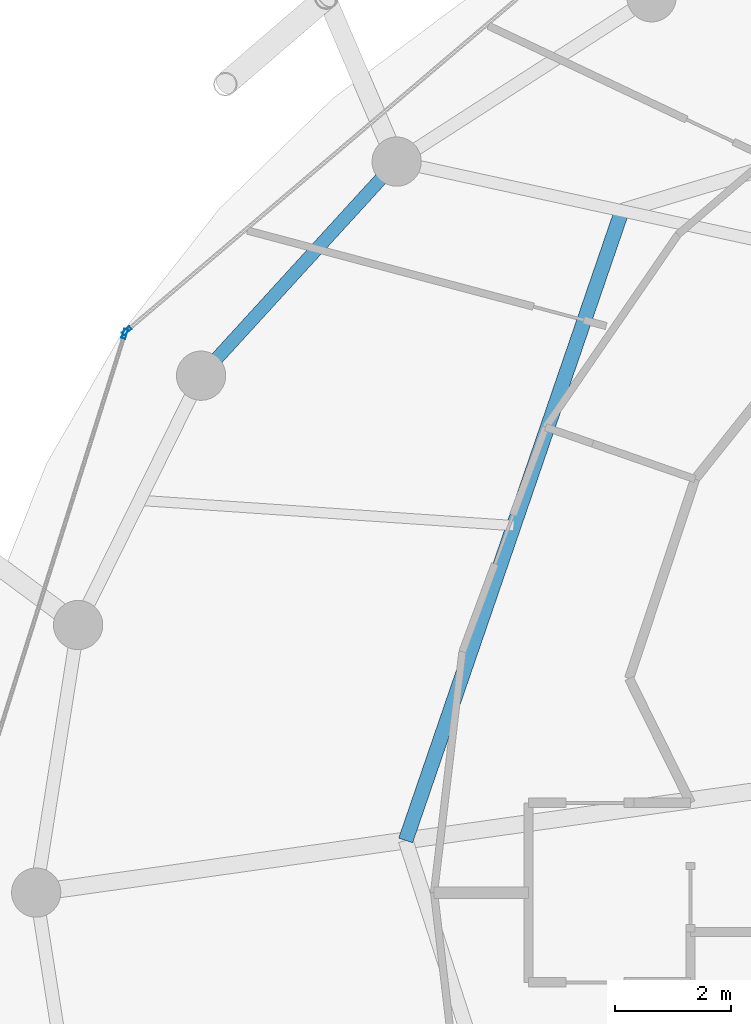
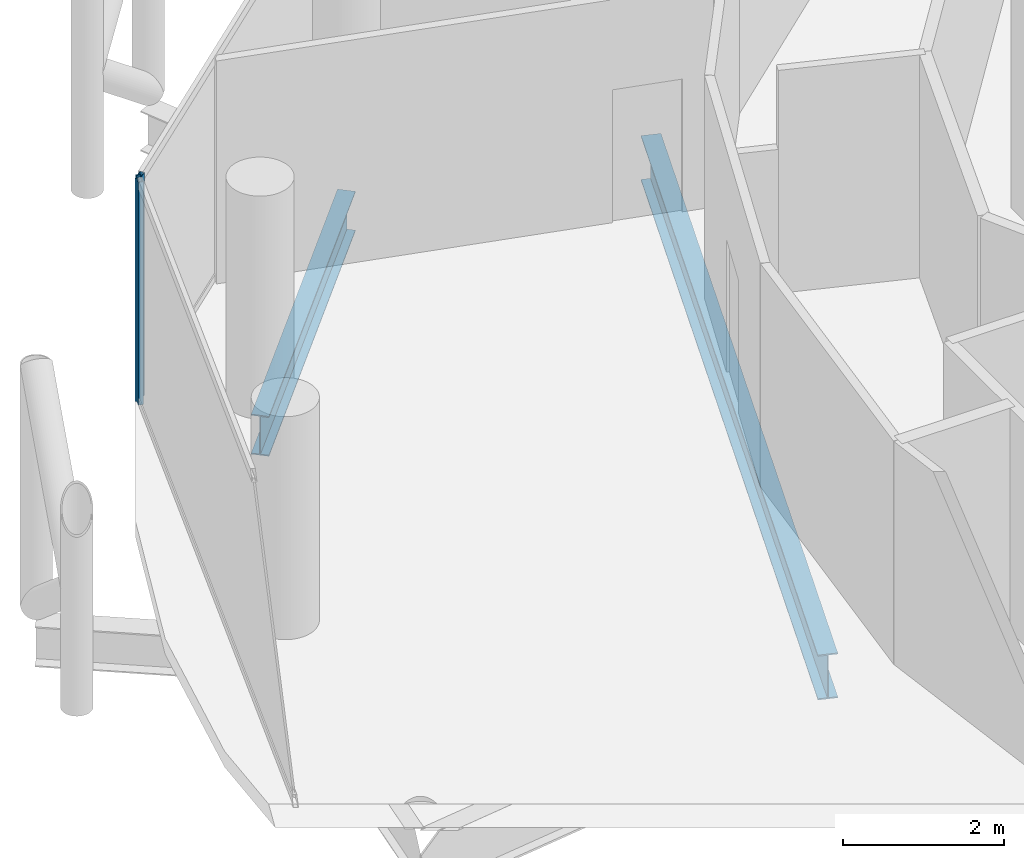
# One storey, part 9 of 27: 2 beams, 2 members, 2 elements without a shape of their own.
"""IFC4 building model written with IfcOpenShell, lengths in metres."""

from ifc_helpers import new_model, si_unit, direction, frame, origin, origin_2d, place, context, subcontext, project, spatial, hollow_rectangle, i_section, extrude, material, layer, layer_set, material_profile, profile_set, type_object, element, aggregate, save


model = new_model("IFC4")

# Units and contexts
model_context = context("Model", 3, precision=1e-05, world=origin(), true_north=direction((0.0, 1.0)))
body_context = subcontext(model_context, "Body", "Model", "MODEL_VIEW")
ifc_project = project(units=[si_unit("LENGTHUNIT", "METRE"), si_unit("AREAUNIT", "SQUARE_METRE"), si_unit("VOLUMEUNIT", "CUBIC_METRE"), si_unit("PLANEANGLEUNIT", "RADIAN"), si_unit("MASSUNIT", "GRAM", prefix="KILO")], contexts=[model_context])

# Site, building, storey
site_placement = place(None, origin())
site = spatial("IfcSite", under=ifc_project, at=site_placement, CompositionType="ELEMENT")
building_placement = place(site_placement, origin())
building = spatial("IfcBuilding", under=site, at=building_placement, Name="Nuhasar Tower", CompositionType="ELEMENT")
storey_placement = place(building_placement, frame((0.0, 0.0, 251.949951171875)))
storey = spatial("IfcBuildingStorey", under=building, at=storey_placement, Name="L62", CompositionType="ELEMENT", Elevation=251.949951171875)

# Beams
ifc_material_1 = material(Name="Steel S355", Category="steel")
ifc_material_profile_1 = material_profile(ifc_material_1, i_section(OverallWidth=0.25390625, OverallDepth=0.68408203125, WebThickness=0.012451171875, FlangeThickness=0.018798828125, at=origin_2d()), Name="W27X94")
ifc_profile_set_1 = profile_set([ifc_material_profile_1], Name="Steel S355")
beam_type_1 = type_object("IfcBeamType", Name="BM-INRING-W27X94", PredefinedType="BEAM", material=ifc_profile_set_1)
beam_1_placement = place(storey_placement, frame((27.864013671875, 38.572998046875, -0.58203125), z_axis=(-0.324809117642, -0.945779592239, 0.0), x_axis=(0.945779592239, -0.324809117642, 0.0)))
element("IfcBeam", 1, at=beam_1_placement, inside=storey, type_object=beam_type_1, Name="L62 Inner Header Beam 07", PredefinedType="BEAM", context=body_context, shape_type="SweptSolid", body=[
    extrude(i_section(OverallWidth=0.25390625, OverallDepth=0.68408203125, WebThickness=0.012451171875, FlangeThickness=0.018798828125, at=origin_2d()), origin(), (0.0, 0.0, 1.0), 11.496337890625),
])
ifc_material_profile_2 = material_profile(ifc_material_1, i_section(OverallWidth=0.22802734375, OverallDepth=0.60791015625, WebThickness=0.01123046875, FlangeThickness=0.017333984375, at=origin_2d()), Name="W24X76")
ifc_profile_set_2 = profile_set([ifc_material_profile_2], Name="Steel S355")
beam_type_2 = type_object("IfcBeamType", Name="BM-RING-W24X76", PredefinedType="SPANDREL", material=ifc_profile_set_2)
beam_2_placement = place(storey_placement, frame((23.97412109375, 39.422119140625, -0.5439453125), z_axis=(-0.674449692975, -0.738320805373, 0.0), x_axis=(0.738320805373, -0.674449692975, 0.0)))
element("IfcBeam", 2, at=beam_2_placement, inside=storey, type_object=beam_type_2, Name="L62 Perimeter Ring Spandrel 10", PredefinedType="SPANDREL", context=body_context, shape_type="SweptSolid", body=[
    extrude(i_section(OverallWidth=0.22802734375, OverallDepth=0.60791015625, WebThickness=0.01123046875, FlangeThickness=0.017333984375, at=origin_2d()), origin(), (0.0, 0.0, 1.0), 5.00732421875),
])

# Curtain wall, member
ifc_material_2 = material(Name="Aluminium 6063-T6", Category="aluminium")
ifc_layer = layer(ifc_material_2, 0.18994140625)
ifc_layer_set = layer_set([ifc_layer], Name="Aluminium 6063-T6")
curtain_wall_type = type_object("IfcCurtainWallType", Name="CW-Z3-RES", PredefinedType="NOTDEFINED", material=ifc_layer_set)
curtain_wall_1_placement = place(storey_placement, origin())
curtain_wall_1 = element("IfcCurtainWall", 3, at=curtain_wall_1_placement, inside=storey, type_object=curtain_wall_type, Name="L62 Unitised Curtain Wall 05", PredefinedType="NOTDEFINED")
ifc_material_profile_3 = material_profile(ifc_material_2, hollow_rectangle(XDim=0.06494140625, YDim=0.169921875, WallThickness=0.0048828125, at=origin_2d()), Name="CWM-4")
ifc_profile_set_3 = profile_set([ifc_material_profile_3], Name="Aluminium 6063-T6")
member_type = type_object("IfcMemberType", Name="CW-MUL-S4", PredefinedType="MULLION", material=ifc_profile_set_3)
member_1_placement = place(storey_placement, frame((19.313720703125, 36.5009765625, 0.0), z_axis=(0.0, 0.0, 1.0), x_axis=(0.64789521578, -0.761729472562, 0.0)))
member_1 = element("IfcMember", 4, at=member_1_placement, type_object=member_type, Name="CW-Z3 mullion 2", PredefinedType="MULLION", context=body_context, shape_type="SweptSolid", body=[
    extrude(hollow_rectangle(XDim=0.06494140625, YDim=0.169921875, WallThickness=0.0048828125, at=origin_2d()), origin(), (0.0, 0.0, 1.0), 3.39013671875),
])
aggregate(curtain_wall_1, [member_1])

curtain_wall_2_placement = place(storey_placement, origin())
curtain_wall_2 = element("IfcCurtainWall", 5, at=curtain_wall_2_placement, inside=storey, type_object=curtain_wall_type, Name="L62 Unitised Curtain Wall 06", PredefinedType="NOTDEFINED")
member_2_placement = place(storey_placement, frame((19.279296875, 36.448974609375, 0.0), z_axis=(0.0, 0.0, 1.0), x_axis=(0.95380429279, -0.30042864553, 0.0)))
member_2 = element("IfcMember", 6, at=member_2_placement, type_object=member_type, Name="CW-Z3 mullion 1", PredefinedType="MULLION", context=body_context, shape_type="SweptSolid", body=[
    extrude(hollow_rectangle(XDim=0.06494140625, YDim=0.169921875, WallThickness=0.0048828125, at=origin_2d()), origin(), (0.0, 0.0, 1.0), 3.39013671875),
])
aggregate(curtain_wall_2, [member_2])

save(model, "model.ifc")
